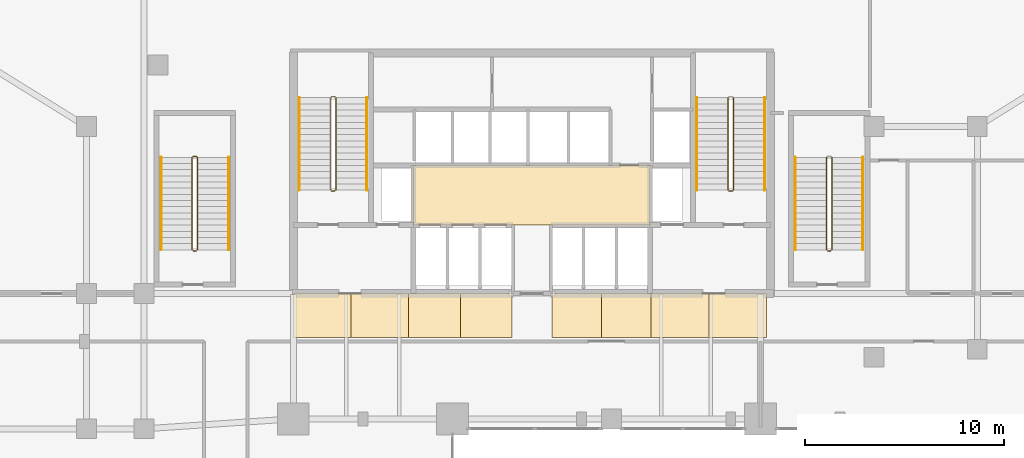
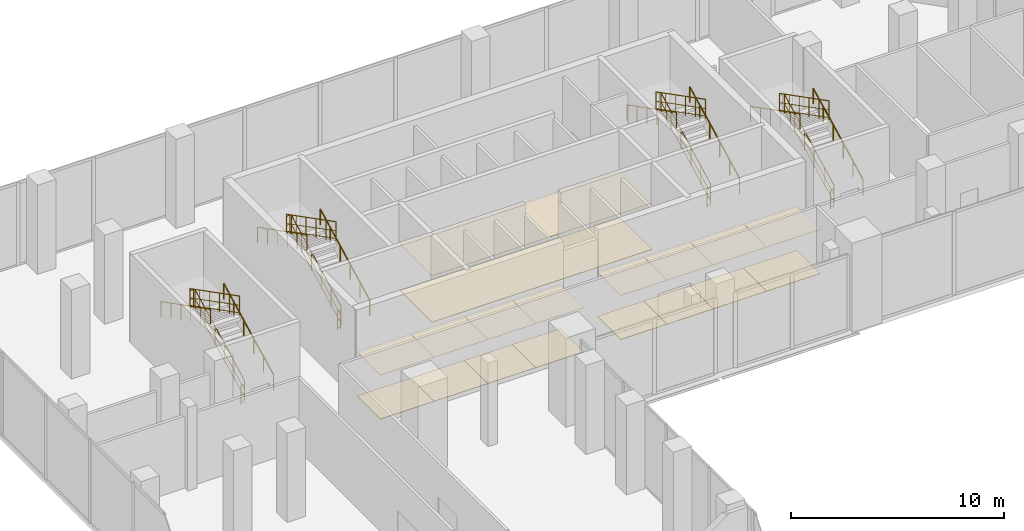
# One storey, part 23 of 24: 22 railings, 18 coverings.
"""IFC4 building model written with IfcOpenShell, lengths in metres."""

from ifc_helpers import new_model, si_unit, direction, frame, origin, origin_2d, place, context, subcontext, project, spatial, polyline, circle, outline, extrude, material, layer, layer_set, type_object, element, save


model = new_model("IFC4")

# Units and contexts
model_context = context("Model", 3, precision=1e-05, world=origin(), true_north=direction((0.0, 1.0)))
body_context = subcontext(model_context, "Body", "Model", "MODEL_VIEW")
ifc_project = project(units=[si_unit("LENGTHUNIT", "METRE"), si_unit("AREAUNIT", "SQUARE_METRE"), si_unit("VOLUMEUNIT", "CUBIC_METRE"), si_unit("PLANEANGLEUNIT", "RADIAN"), si_unit("MASSUNIT", "GRAM", prefix="KILO")], contexts=[model_context])

# Site, building, storey
site_placement = place(None, origin())
site = spatial("IfcSite", under=ifc_project, at=site_placement, CompositionType="ELEMENT")
building_placement = place(site_placement, origin())
building = spatial("IfcBuilding", under=site, at=building_placement, Name="Catumbela Crestline Tower", CompositionType="ELEMENT")
storey_placement = place(building_placement, frame((0.0, 0.0, 6.0)))
storey = spatial("IfcBuildingStorey", under=building, at=storey_placement, Name="L01", CompositionType="ELEMENT", Elevation=6.0)

# Coverings
ifc_material_1 = material(Name="Mineral-fibre acoustic ceiling")
ifc_layer_1 = layer(ifc_material_1, 0.03, Name="Mineral-fibre acoustic ceiling")
ifc_layer_set_1 = layer_set([ifc_layer_1], Name="Mineral-fibre acoustic ceiling")
covering_type_1 = type_object("IfcCoveringType", Name="CC-AC", PredefinedType="CEILING", material=ifc_layer_set_1)
covering_1_placement = place(storey_placement, frame((0.0, 0.0, 2.65)))
element("IfcCovering", 1, at=covering_1_placement, inside=storey, type_object=covering_type_1, Name="L01 Lift Lobby Acoustic Ceiling", PredefinedType="CEILING", context=body_context, shape_type="SweptSolid", body=[
    extrude(outline(polyline([(22.05, 34.25), (33.95, 34.25), (33.95, 37.25), (22.05, 37.25), (22.05, 34.25)])), origin(), (0.0, 0.0, 1.0), 0.03),
])
covering_2_placement = place(storey_placement, frame((0.0, 0.0, 2.52)))
element("IfcCovering", 2, at=covering_2_placement, inside=storey, type_object=covering_type_1, Name="L01 Corridor Acoustic Ceiling Bay 1", PredefinedType="CEILING", context=body_context, shape_type="SweptSolid", body=[
    extrude(outline(polyline([(16.0, 28.6), (18.9, 28.6), (18.9, 30.8), (16.0, 30.8), (16.0, 28.6)])), origin(), (0.0, 0.0, 1.0), 0.03),
])
covering_3_placement = place(storey_placement, frame((0.0, 0.0, 2.52)))
element("IfcCovering", 3, at=covering_3_placement, inside=storey, type_object=covering_type_1, Name="L01 Corridor Acoustic Ceiling Bay 2", PredefinedType="CEILING", context=body_context, shape_type="SweptSolid", body=[
    extrude(outline(polyline([(18.9, 28.6), (21.8, 28.6), (21.8, 30.8), (18.9, 30.8), (18.9, 28.6)])), origin(), (0.0, 0.0, 1.0), 0.03),
])
covering_4_placement = place(storey_placement, frame((0.0, 0.0, 2.52)))
element("IfcCovering", 4, at=covering_4_placement, inside=storey, type_object=covering_type_1, Name="L01 Corridor Acoustic Ceiling Bay 3", PredefinedType="CEILING", context=body_context, shape_type="SweptSolid", body=[
    extrude(outline(polyline([(21.8, 28.6), (24.4, 28.6), (24.4, 30.8), (21.8, 30.8), (21.8, 28.6)])), origin(), (0.0, 0.0, 1.0), 0.03),
])
covering_5_placement = place(storey_placement, frame((0.0, 0.0, 2.52)))
element("IfcCovering", 5, at=covering_5_placement, inside=storey, type_object=covering_type_1, Name="L01 Corridor Acoustic Ceiling Bay 4", PredefinedType="CEILING", context=body_context, shape_type="SweptSolid", body=[
    extrude(outline(polyline([(24.4, 28.6), (27.0, 28.6), (27.0, 30.8), (24.4, 30.8), (24.4, 28.6)])), origin(), (0.0, 0.0, 1.0), 0.03),
])
covering_6_placement = place(storey_placement, frame((0.0, 0.0, 2.52)))
element("IfcCovering", 6, at=covering_6_placement, inside=storey, type_object=covering_type_1, Name="L01 Corridor Acoustic Ceiling Bay 5", PredefinedType="CEILING", context=body_context, shape_type="SweptSolid", body=[
    extrude(outline(polyline([(29.0, 28.6), (31.5, 28.6), (31.5, 30.8), (29.0, 30.8), (29.0, 28.6)])), origin(), (0.0, 0.0, 1.0), 0.03),
])
covering_7_placement = place(storey_placement, frame((0.0, 0.0, 2.52)))
element("IfcCovering", 7, at=covering_7_placement, inside=storey, type_object=covering_type_1, Name="L01 Corridor Acoustic Ceiling Bay 6", PredefinedType="CEILING", context=body_context, shape_type="SweptSolid", body=[
    extrude(outline(polyline([(31.5, 28.6), (34.0, 28.6), (34.0, 30.8), (31.5, 30.8), (31.5, 28.6)])), origin(), (0.0, 0.0, 1.0), 0.03),
])
covering_8_placement = place(storey_placement, frame((0.0, 0.0, 2.52)))
element("IfcCovering", 8, at=covering_8_placement, inside=storey, type_object=covering_type_1, Name="L01 Corridor Acoustic Ceiling Bay 7", PredefinedType="CEILING", context=body_context, shape_type="SweptSolid", body=[
    extrude(outline(polyline([(34.0, 28.6), (36.9, 28.6), (36.9, 30.8), (34.0, 30.8), (34.0, 28.6)])), origin(), (0.0, 0.0, 1.0), 0.03),
])
covering_9_placement = place(storey_placement, frame((0.0, 0.0, 2.52)))
element("IfcCovering", 9, at=covering_9_placement, inside=storey, type_object=covering_type_1, Name="L01 Corridor Acoustic Ceiling Bay 8", PredefinedType="CEILING", context=body_context, shape_type="SweptSolid", body=[
    extrude(outline(polyline([(36.9, 28.6), (39.8, 28.6), (39.8, 30.8), (36.9, 30.8), (36.9, 28.6)])), origin(), (0.0, 0.0, 1.0), 0.03),
])
ifc_material_2 = material(Name="Angolan grey-ochre granite", Category="masonry")
ifc_layer_2 = layer(ifc_material_2, 0.025, Name="Angolan grey-ochre granite")
ifc_layer_set_2 = layer_set([ifc_layer_2], Name="Angolan grey-ochre granite")
covering_type_2 = type_object("IfcCoveringType", Name="CF-GR", PredefinedType="FLOORING", material=ifc_layer_set_2)
covering_10_placement = place(storey_placement, origin())
element("IfcCovering", 10, at=covering_10_placement, inside=storey, type_object=covering_type_2, Name="L01 Corridor Granite Flooring Bay 1", PredefinedType="FLOORING", context=body_context, shape_type="SweptSolid", body=[
    extrude(outline(polyline([(16.0, 28.6), (18.9, 28.6), (18.9, 30.8), (16.0, 30.8), (16.0, 28.6)])), origin(), (0.0, 0.0, 1.0), 0.025),
])
covering_11_placement = place(storey_placement, origin())
element("IfcCovering", 11, at=covering_11_placement, inside=storey, type_object=covering_type_2, Name="L01 Corridor Granite Flooring Bay 2", PredefinedType="FLOORING", context=body_context, shape_type="SweptSolid", body=[
    extrude(outline(polyline([(18.9, 28.6), (21.8, 28.6), (21.8, 30.8), (18.9, 30.8), (18.9, 28.6)])), origin(), (0.0, 0.0, 1.0), 0.025),
])
covering_12_placement = place(storey_placement, origin())
element("IfcCovering", 12, at=covering_12_placement, inside=storey, type_object=covering_type_2, Name="L01 Corridor Granite Flooring Bay 3", PredefinedType="FLOORING", context=body_context, shape_type="SweptSolid", body=[
    extrude(outline(polyline([(21.8, 28.6), (24.4, 28.6), (24.4, 30.8), (21.8, 30.8), (21.8, 28.6)])), origin(), (0.0, 0.0, 1.0), 0.025),
])
covering_13_placement = place(storey_placement, origin())
element("IfcCovering", 13, at=covering_13_placement, inside=storey, type_object=covering_type_2, Name="L01 Corridor Granite Flooring Bay 4", PredefinedType="FLOORING", context=body_context, shape_type="SweptSolid", body=[
    extrude(outline(polyline([(24.4, 28.6), (27.0, 28.6), (27.0, 30.8), (24.4, 30.8), (24.4, 28.6)])), origin(), (0.0, 0.0, 1.0), 0.025),
])
covering_14_placement = place(storey_placement, origin())
element("IfcCovering", 14, at=covering_14_placement, inside=storey, type_object=covering_type_2, Name="L01 Corridor Granite Flooring Bay 5", PredefinedType="FLOORING", context=body_context, shape_type="SweptSolid", body=[
    extrude(outline(polyline([(29.0, 28.6), (31.5, 28.6), (31.5, 30.8), (29.0, 30.8), (29.0, 28.6)])), origin(), (0.0, 0.0, 1.0), 0.025),
])
covering_15_placement = place(storey_placement, origin())
element("IfcCovering", 15, at=covering_15_placement, inside=storey, type_object=covering_type_2, Name="L01 Corridor Granite Flooring Bay 6", PredefinedType="FLOORING", context=body_context, shape_type="SweptSolid", body=[
    extrude(outline(polyline([(31.5, 28.6), (34.0, 28.6), (34.0, 30.8), (31.5, 30.8), (31.5, 28.6)])), origin(), (0.0, 0.0, 1.0), 0.025),
])
covering_16_placement = place(storey_placement, origin())
element("IfcCovering", 16, at=covering_16_placement, inside=storey, type_object=covering_type_2, Name="L01 Corridor Granite Flooring Bay 7", PredefinedType="FLOORING", context=body_context, shape_type="SweptSolid", body=[
    extrude(outline(polyline([(34.0, 28.6), (36.9, 28.6), (36.9, 30.8), (34.0, 30.8), (34.0, 28.6)])), origin(), (0.0, 0.0, 1.0), 0.025),
])
covering_17_placement = place(storey_placement, origin())
element("IfcCovering", 17, at=covering_17_placement, inside=storey, type_object=covering_type_2, Name="L01 Corridor Granite Flooring Bay 8", PredefinedType="FLOORING", context=body_context, shape_type="SweptSolid", body=[
    extrude(outline(polyline([(36.9, 28.6), (39.8, 28.6), (39.8, 30.8), (36.9, 30.8), (36.9, 28.6)])), origin(), (0.0, 0.0, 1.0), 0.025),
])
covering_18_placement = place(storey_placement, origin())
element("IfcCovering", 18, at=covering_18_placement, inside=storey, type_object=covering_type_2, Name="L01 Lift Lobby Granite Flooring", PredefinedType="FLOORING", context=body_context, shape_type="SweptSolid", body=[
    extrude(outline(polyline([(22.05, 34.25), (33.95, 34.25), (33.95, 37.25), (22.05, 37.25), (22.05, 34.25)])), origin(), (0.0, 0.0, 1.0), 0.025),
])

# Railings
ifc_material_3 = material(Name="Stainless steel EN 1.4401", Category="steel")
railing_type_1 = type_object("IfcRailingType", Name="RG-1100", PredefinedType="GUARDRAIL", material=ifc_material_3)
railing_1_placement = place(storey_placement, frame((18.14, 36.0, 0.1594)))
element("IfcRailing", 19, at=railing_1_placement, inside=storey, type_object=railing_type_1, Name="L01 ST-01 stair guard 1", PredefinedType="GUARDRAIL", context=body_context, shape_type="SweptSolid", body=[
    extrude(circle(Radius=0.024, at=origin_2d()), frame((0.0, 0.0, 1.076), z_axis=(0.0, 0.889352246013, 0.457222683724), x_axis=(-1.0, 0.0, 0.0)), (0.0, 0.0, 1.0), 5.2285),
    extrude(circle(Radius=0.0156, at=origin_2d()), frame((0.0, 0.0, 0.55), z_axis=(0.0, 0.889352246013, 0.457222683724), x_axis=(-1.0, 0.0, 0.0)), (0.0, 0.0, 1.0), 5.2285),
    extrude(circle(Radius=0.0156, at=origin_2d()), frame((0.0, 0.0, 0.12), z_axis=(0.0, 0.889352246013, 0.457222683724), x_axis=(-1.0, 0.0, 0.0)), (0.0, 0.0, 1.0), 5.2285),
    extrude(circle(Radius=0.021, at=origin_2d()), origin(), (0.0, 0.0, 1.0), 1.052),
    extrude(circle(Radius=0.021, at=origin_2d()), frame((0.0, 0.93, 0.4781)), (0.0, 0.0, 1.0), 1.052),
    extrude(circle(Radius=0.021, at=origin_2d()), frame((0.0, 1.86, 0.9562)), (0.0, 0.0, 1.0), 1.052),
    extrude(circle(Radius=0.021, at=origin_2d()), frame((0.0, 2.79, 1.4344)), (0.0, 0.0, 1.0), 1.052),
    extrude(circle(Radius=0.021, at=origin_2d()), frame((0.0, 3.72, 1.9125)), (0.0, 0.0, 1.0), 1.052),
    extrude(circle(Radius=0.021, at=origin_2d()), frame((0.0, 4.65, 2.3906)), (0.0, 0.0, 1.0), 1.052),
])
railing_2_placement = place(storey_placement, frame((18.09, 40.7, 2.55)))
element("IfcRailing", 20, at=railing_2_placement, inside=storey, type_object=railing_type_1, Name="L01 ST-01 stair guard 2", PredefinedType="GUARDRAIL", context=body_context, shape_type="SweptSolid", body=[
    extrude(circle(Radius=0.024, at=origin_2d()), frame((0.0, 0.0, 1.076), z_axis=(-1.0, 0.0, 0.0), x_axis=(0.0, -1.0, 0.0)), (0.0, 0.0, 1.0), 0.18),
    extrude(circle(Radius=0.0156, at=origin_2d()), frame((0.0, 0.0, 0.55), z_axis=(-1.0, 0.0, 0.0), x_axis=(0.0, -1.0, 0.0)), (0.0, 0.0, 1.0), 0.18),
    extrude(circle(Radius=0.0156, at=origin_2d()), frame((0.0, 0.0, 0.12), z_axis=(-1.0, 0.0, 0.0), x_axis=(0.0, -1.0, 0.0)), (0.0, 0.0, 1.0), 0.18),
    extrude(circle(Radius=0.021, at=origin_2d()), origin(), (0.0, 0.0, 1.0), 1.052),
    extrude(circle(Radius=0.021, at=origin_2d()), frame((-0.18, 0.0, 0.0)), (0.0, 0.0, 1.0), 1.052),
])
railing_3_placement = place(storey_placement, frame((17.86, 40.65, 2.7094)))
element("IfcRailing", 21, at=railing_3_placement, inside=storey, type_object=railing_type_1, Name="L01 ST-01 stair guard 3", PredefinedType="GUARDRAIL", context=body_context, shape_type="SweptSolid", body=[
    extrude(circle(Radius=0.024, at=origin_2d()), frame((0.0, 0.0, 1.076), z_axis=(0.0, -0.889352246013, 0.457222683724), x_axis=(1.0, 0.0, 0.0)), (0.0, 0.0, 1.0), 5.2285),
    extrude(circle(Radius=0.0156, at=origin_2d()), frame((0.0, 0.0, 0.55), z_axis=(0.0, -0.889352246013, 0.457222683724), x_axis=(1.0, 0.0, 0.0)), (0.0, 0.0, 1.0), 5.2285),
    extrude(circle(Radius=0.0156, at=origin_2d()), frame((0.0, 0.0, 0.12), z_axis=(0.0, -0.889352246013, 0.457222683724), x_axis=(1.0, 0.0, 0.0)), (0.0, 0.0, 1.0), 5.2285),
    extrude(circle(Radius=0.021, at=origin_2d()), origin(), (0.0, 0.0, 1.0), 1.052),
    extrude(circle(Radius=0.021, at=origin_2d()), frame((0.0, -0.93, 0.4781)), (0.0, 0.0, 1.0), 1.052),
    extrude(circle(Radius=0.021, at=origin_2d()), frame((0.0, -1.86, 0.9562)), (0.0, 0.0, 1.0), 1.052),
    extrude(circle(Radius=0.021, at=origin_2d()), frame((0.0, -2.79, 1.4344)), (0.0, 0.0, 1.0), 1.052),
    extrude(circle(Radius=0.021, at=origin_2d()), frame((0.0, -3.72, 1.9125)), (0.0, 0.0, 1.0), 1.052),
    extrude(circle(Radius=0.021, at=origin_2d()), frame((0.0, -4.65, 2.3906)), (0.0, 0.0, 1.0), 1.052),
])
railing_4_placement = place(storey_placement, frame((18.09, 35.95, 0.0)))
element("IfcRailing", 22, at=railing_4_placement, inside=storey, type_object=railing_type_1, Name="L01 ST-01 stair guard 4", PredefinedType="GUARDRAIL", context=body_context, shape_type="SweptSolid", body=[
    extrude(circle(Radius=0.024, at=origin_2d()), frame((0.0, 0.0, 1.076), z_axis=(-1.0, 0.0, 0.0), x_axis=(0.0, -1.0, 0.0)), (0.0, 0.0, 1.0), 0.18),
    extrude(circle(Radius=0.0156, at=origin_2d()), frame((0.0, 0.0, 0.55), z_axis=(-1.0, 0.0, 0.0), x_axis=(0.0, -1.0, 0.0)), (0.0, 0.0, 1.0), 0.18),
    extrude(circle(Radius=0.0156, at=origin_2d()), frame((0.0, 0.0, 0.12), z_axis=(-1.0, 0.0, 0.0), x_axis=(0.0, -1.0, 0.0)), (0.0, 0.0, 1.0), 0.18),
    extrude(circle(Radius=0.021, at=origin_2d()), origin(), (0.0, 0.0, 1.0), 1.052),
    extrude(circle(Radius=0.021, at=origin_2d()), frame((-0.18, 0.0, 0.0)), (0.0, 0.0, 1.0), 1.052),
])
railing_5_placement = place(storey_placement, frame((38.14, 36.0, 0.1594)))
element("IfcRailing", 23, at=railing_5_placement, inside=storey, type_object=railing_type_1, Name="L01 ST-02 stair guard 1", PredefinedType="GUARDRAIL", context=body_context, shape_type="SweptSolid", body=[
    extrude(circle(Radius=0.024, at=origin_2d()), frame((0.0, 0.0, 1.076), z_axis=(0.0, 0.889352246013, 0.457222683724), x_axis=(-1.0, 0.0, 0.0)), (0.0, 0.0, 1.0), 5.2285),
    extrude(circle(Radius=0.0156, at=origin_2d()), frame((0.0, 0.0, 0.55), z_axis=(0.0, 0.889352246013, 0.457222683724), x_axis=(-1.0, 0.0, 0.0)), (0.0, 0.0, 1.0), 5.2285),
    extrude(circle(Radius=0.0156, at=origin_2d()), frame((0.0, 0.0, 0.12), z_axis=(0.0, 0.889352246013, 0.457222683724), x_axis=(-1.0, 0.0, 0.0)), (0.0, 0.0, 1.0), 5.2285),
    extrude(circle(Radius=0.021, at=origin_2d()), origin(), (0.0, 0.0, 1.0), 1.052),
    extrude(circle(Radius=0.021, at=origin_2d()), frame((0.0, 0.93, 0.4781)), (0.0, 0.0, 1.0), 1.052),
    extrude(circle(Radius=0.021, at=origin_2d()), frame((0.0, 1.86, 0.9562)), (0.0, 0.0, 1.0), 1.052),
    extrude(circle(Radius=0.021, at=origin_2d()), frame((0.0, 2.79, 1.4344)), (0.0, 0.0, 1.0), 1.052),
    extrude(circle(Radius=0.021, at=origin_2d()), frame((0.0, 3.72, 1.9125)), (0.0, 0.0, 1.0), 1.052),
    extrude(circle(Radius=0.021, at=origin_2d()), frame((0.0, 4.65, 2.3906)), (0.0, 0.0, 1.0), 1.052),
])
railing_6_placement = place(storey_placement, frame((37.86, 40.65, 2.7094)))
element("IfcRailing", 24, at=railing_6_placement, inside=storey, type_object=railing_type_1, Name="L01 ST-02 stair guard 3", PredefinedType="GUARDRAIL", context=body_context, shape_type="SweptSolid", body=[
    extrude(circle(Radius=0.024, at=origin_2d()), frame((0.0, 0.0, 1.076), z_axis=(0.0, -0.889352246013, 0.457222683724), x_axis=(1.0, 0.0, 0.0)), (0.0, 0.0, 1.0), 5.2285),
    extrude(circle(Radius=0.0156, at=origin_2d()), frame((0.0, 0.0, 0.55), z_axis=(0.0, -0.889352246013, 0.457222683724), x_axis=(1.0, 0.0, 0.0)), (0.0, 0.0, 1.0), 5.2285),
    extrude(circle(Radius=0.0156, at=origin_2d()), frame((0.0, 0.0, 0.12), z_axis=(0.0, -0.889352246013, 0.457222683724), x_axis=(1.0, 0.0, 0.0)), (0.0, 0.0, 1.0), 5.2285),
    extrude(circle(Radius=0.021, at=origin_2d()), origin(), (0.0, 0.0, 1.0), 1.052),
    extrude(circle(Radius=0.021, at=origin_2d()), frame((0.0, -0.93, 0.4781)), (0.0, 0.0, 1.0), 1.052),
    extrude(circle(Radius=0.021, at=origin_2d()), frame((0.0, -1.86, 0.9562)), (0.0, 0.0, 1.0), 1.052),
    extrude(circle(Radius=0.021, at=origin_2d()), frame((0.0, -2.79, 1.4344)), (0.0, 0.0, 1.0), 1.052),
    extrude(circle(Radius=0.021, at=origin_2d()), frame((0.0, -3.72, 1.9125)), (0.0, 0.0, 1.0), 1.052),
    extrude(circle(Radius=0.021, at=origin_2d()), frame((0.0, -4.65, 2.3906)), (0.0, 0.0, 1.0), 1.052),
])
railing_7_placement = place(storey_placement, frame((38.09, 35.95, 0.0)))
element("IfcRailing", 25, at=railing_7_placement, inside=storey, type_object=railing_type_1, Name="L01 ST-02 stair guard 4", PredefinedType="GUARDRAIL", context=body_context, shape_type="SweptSolid", body=[
    extrude(circle(Radius=0.024, at=origin_2d()), frame((0.0, 0.0, 1.076), z_axis=(-1.0, 0.0, 0.0), x_axis=(0.0, -1.0, 0.0)), (0.0, 0.0, 1.0), 0.18),
    extrude(circle(Radius=0.0156, at=origin_2d()), frame((0.0, 0.0, 0.55), z_axis=(-1.0, 0.0, 0.0), x_axis=(0.0, -1.0, 0.0)), (0.0, 0.0, 1.0), 0.18),
    extrude(circle(Radius=0.0156, at=origin_2d()), frame((0.0, 0.0, 0.12), z_axis=(-1.0, 0.0, 0.0), x_axis=(0.0, -1.0, 0.0)), (0.0, 0.0, 1.0), 0.18),
    extrude(circle(Radius=0.021, at=origin_2d()), origin(), (0.0, 0.0, 1.0), 1.052),
    extrude(circle(Radius=0.021, at=origin_2d()), frame((-0.18, 0.0, 0.0)), (0.0, 0.0, 1.0), 1.052),
])
railing_8_placement = place(storey_placement, frame((11.19, 33.0, 0.1594)))
element("IfcRailing", 26, at=railing_8_placement, inside=storey, type_object=railing_type_1, Name="L01 ST-03 stair guard 1", PredefinedType="GUARDRAIL", context=body_context, shape_type="SweptSolid", body=[
    extrude(circle(Radius=0.024, at=origin_2d()), frame((0.0, 0.0, 1.076), z_axis=(0.0, 0.889352246013, 0.457222683724), x_axis=(-1.0, 0.0, 0.0)), (0.0, 0.0, 1.0), 5.2285),
    extrude(circle(Radius=0.0156, at=origin_2d()), frame((0.0, 0.0, 0.55), z_axis=(0.0, 0.889352246013, 0.457222683724), x_axis=(-1.0, 0.0, 0.0)), (0.0, 0.0, 1.0), 5.2285),
    extrude(circle(Radius=0.0156, at=origin_2d()), frame((0.0, 0.0, 0.12), z_axis=(0.0, 0.889352246013, 0.457222683724), x_axis=(-1.0, 0.0, 0.0)), (0.0, 0.0, 1.0), 5.2285),
    extrude(circle(Radius=0.021, at=origin_2d()), origin(), (0.0, 0.0, 1.0), 1.052),
    extrude(circle(Radius=0.021, at=origin_2d()), frame((0.0, 0.93, 0.4781)), (0.0, 0.0, 1.0), 1.052),
    extrude(circle(Radius=0.021, at=origin_2d()), frame((0.0, 1.86, 0.9562)), (0.0, 0.0, 1.0), 1.052),
    extrude(circle(Radius=0.021, at=origin_2d()), frame((0.0, 2.79, 1.4344)), (0.0, 0.0, 1.0), 1.052),
    extrude(circle(Radius=0.021, at=origin_2d()), frame((0.0, 3.72, 1.9125)), (0.0, 0.0, 1.0), 1.052),
    extrude(circle(Radius=0.021, at=origin_2d()), frame((0.0, 4.65, 2.3906)), (0.0, 0.0, 1.0), 1.052),
])
railing_9_placement = place(storey_placement, frame((11.14, 37.7, 2.55)))
element("IfcRailing", 27, at=railing_9_placement, inside=storey, type_object=railing_type_1, Name="L01 ST-03 stair guard 2", PredefinedType="GUARDRAIL", context=body_context, shape_type="SweptSolid", body=[
    extrude(circle(Radius=0.024, at=origin_2d()), frame((0.0, 0.0, 1.076), z_axis=(-1.0, 0.0, 0.0), x_axis=(0.0, -1.0, 0.0)), (0.0, 0.0, 1.0), 0.18),
    extrude(circle(Radius=0.0156, at=origin_2d()), frame((0.0, 0.0, 0.55), z_axis=(-1.0, 0.0, 0.0), x_axis=(0.0, -1.0, 0.0)), (0.0, 0.0, 1.0), 0.18),
    extrude(circle(Radius=0.0156, at=origin_2d()), frame((0.0, 0.0, 0.12), z_axis=(-1.0, 0.0, 0.0), x_axis=(0.0, -1.0, 0.0)), (0.0, 0.0, 1.0), 0.18),
    extrude(circle(Radius=0.021, at=origin_2d()), origin(), (0.0, 0.0, 1.0), 1.052),
    extrude(circle(Radius=0.021, at=origin_2d()), frame((-0.18, 0.0, 0.0)), (0.0, 0.0, 1.0), 1.052),
])
railing_10_placement = place(storey_placement, frame((10.91, 37.65, 2.7094)))
element("IfcRailing", 28, at=railing_10_placement, inside=storey, type_object=railing_type_1, Name="L01 ST-03 stair guard 3", PredefinedType="GUARDRAIL", context=body_context, shape_type="SweptSolid", body=[
    extrude(circle(Radius=0.024, at=origin_2d()), frame((0.0, 0.0, 1.076), z_axis=(0.0, -0.889352246013, 0.457222683724), x_axis=(1.0, 0.0, 0.0)), (0.0, 0.0, 1.0), 5.2285),
    extrude(circle(Radius=0.0156, at=origin_2d()), frame((0.0, 0.0, 0.55), z_axis=(0.0, -0.889352246013, 0.457222683724), x_axis=(1.0, 0.0, 0.0)), (0.0, 0.0, 1.0), 5.2285),
    extrude(circle(Radius=0.0156, at=origin_2d()), frame((0.0, 0.0, 0.12), z_axis=(0.0, -0.889352246013, 0.457222683724), x_axis=(1.0, 0.0, 0.0)), (0.0, 0.0, 1.0), 5.2285),
    extrude(circle(Radius=0.021, at=origin_2d()), origin(), (0.0, 0.0, 1.0), 1.052),
    extrude(circle(Radius=0.021, at=origin_2d()), frame((0.0, -0.93, 0.4781)), (0.0, 0.0, 1.0), 1.052),
    extrude(circle(Radius=0.021, at=origin_2d()), frame((0.0, -1.86, 0.9562)), (0.0, 0.0, 1.0), 1.052),
    extrude(circle(Radius=0.021, at=origin_2d()), frame((0.0, -2.79, 1.4344)), (0.0, 0.0, 1.0), 1.052),
    extrude(circle(Radius=0.021, at=origin_2d()), frame((0.0, -3.72, 1.9125)), (0.0, 0.0, 1.0), 1.052),
    extrude(circle(Radius=0.021, at=origin_2d()), frame((0.0, -4.65, 2.3906)), (0.0, 0.0, 1.0), 1.052),
])
railing_11_placement = place(storey_placement, frame((11.14, 32.95, 0.0)))
element("IfcRailing", 29, at=railing_11_placement, inside=storey, type_object=railing_type_1, Name="L01 ST-03 stair guard 4", PredefinedType="GUARDRAIL", context=body_context, shape_type="SweptSolid", body=[
    extrude(circle(Radius=0.024, at=origin_2d()), frame((0.0, 0.0, 1.076), z_axis=(-1.0, 0.0, 0.0), x_axis=(0.0, -1.0, 0.0)), (0.0, 0.0, 1.0), 0.18),
    extrude(circle(Radius=0.0156, at=origin_2d()), frame((0.0, 0.0, 0.55), z_axis=(-1.0, 0.0, 0.0), x_axis=(0.0, -1.0, 0.0)), (0.0, 0.0, 1.0), 0.18),
    extrude(circle(Radius=0.0156, at=origin_2d()), frame((0.0, 0.0, 0.12), z_axis=(-1.0, 0.0, 0.0), x_axis=(0.0, -1.0, 0.0)), (0.0, 0.0, 1.0), 0.18),
    extrude(circle(Radius=0.021, at=origin_2d()), origin(), (0.0, 0.0, 1.0), 1.052),
    extrude(circle(Radius=0.021, at=origin_2d()), frame((-0.18, 0.0, 0.0)), (0.0, 0.0, 1.0), 1.052),
])
railing_12_placement = place(storey_placement, frame((43.09, 33.0, 0.1594)))
element("IfcRailing", 30, at=railing_12_placement, inside=storey, type_object=railing_type_1, Name="L01 ST-04 stair guard 1", PredefinedType="GUARDRAIL", context=body_context, shape_type="SweptSolid", body=[
    extrude(circle(Radius=0.024, at=origin_2d()), frame((0.0, 0.0, 1.076), z_axis=(0.0, 0.889352246013, 0.457222683724), x_axis=(-1.0, 0.0, 0.0)), (0.0, 0.0, 1.0), 5.2285),
    extrude(circle(Radius=0.0156, at=origin_2d()), frame((0.0, 0.0, 0.55), z_axis=(0.0, 0.889352246013, 0.457222683724), x_axis=(-1.0, 0.0, 0.0)), (0.0, 0.0, 1.0), 5.2285),
    extrude(circle(Radius=0.0156, at=origin_2d()), frame((0.0, 0.0, 0.12), z_axis=(0.0, 0.889352246013, 0.457222683724), x_axis=(-1.0, 0.0, 0.0)), (0.0, 0.0, 1.0), 5.2285),
    extrude(circle(Radius=0.021, at=origin_2d()), origin(), (0.0, 0.0, 1.0), 1.052),
    extrude(circle(Radius=0.021, at=origin_2d()), frame((0.0, 0.93, 0.4781)), (0.0, 0.0, 1.0), 1.052),
    extrude(circle(Radius=0.021, at=origin_2d()), frame((0.0, 1.86, 0.9562)), (0.0, 0.0, 1.0), 1.052),
    extrude(circle(Radius=0.021, at=origin_2d()), frame((0.0, 2.79, 1.4344)), (0.0, 0.0, 1.0), 1.052),
    extrude(circle(Radius=0.021, at=origin_2d()), frame((0.0, 3.72, 1.9125)), (0.0, 0.0, 1.0), 1.052),
    extrude(circle(Radius=0.021, at=origin_2d()), frame((0.0, 4.65, 2.3906)), (0.0, 0.0, 1.0), 1.052),
])
railing_13_placement = place(storey_placement, frame((42.81, 37.65, 2.7094)))
element("IfcRailing", 31, at=railing_13_placement, inside=storey, type_object=railing_type_1, Name="L01 ST-04 stair guard 3", PredefinedType="GUARDRAIL", context=body_context, shape_type="SweptSolid", body=[
    extrude(circle(Radius=0.024, at=origin_2d()), frame((0.0, 0.0, 1.076), z_axis=(0.0, -0.889352246013, 0.457222683724), x_axis=(1.0, 0.0, 0.0)), (0.0, 0.0, 1.0), 5.2285),
    extrude(circle(Radius=0.0156, at=origin_2d()), frame((0.0, 0.0, 0.55), z_axis=(0.0, -0.889352246013, 0.457222683724), x_axis=(1.0, 0.0, 0.0)), (0.0, 0.0, 1.0), 5.2285),
    extrude(circle(Radius=0.0156, at=origin_2d()), frame((0.0, 0.0, 0.12), z_axis=(0.0, -0.889352246013, 0.457222683724), x_axis=(1.0, 0.0, 0.0)), (0.0, 0.0, 1.0), 5.2285),
    extrude(circle(Radius=0.021, at=origin_2d()), origin(), (0.0, 0.0, 1.0), 1.052),
    extrude(circle(Radius=0.021, at=origin_2d()), frame((0.0, -0.93, 0.4781)), (0.0, 0.0, 1.0), 1.052),
    extrude(circle(Radius=0.021, at=origin_2d()), frame((0.0, -1.86, 0.9562)), (0.0, 0.0, 1.0), 1.052),
    extrude(circle(Radius=0.021, at=origin_2d()), frame((0.0, -2.79, 1.4344)), (0.0, 0.0, 1.0), 1.052),
    extrude(circle(Radius=0.021, at=origin_2d()), frame((0.0, -3.72, 1.9125)), (0.0, 0.0, 1.0), 1.052),
    extrude(circle(Radius=0.021, at=origin_2d()), frame((0.0, -4.65, 2.3906)), (0.0, 0.0, 1.0), 1.052),
])
railing_14_placement = place(storey_placement, frame((43.04, 32.95, 0.0)))
element("IfcRailing", 32, at=railing_14_placement, inside=storey, type_object=railing_type_1, Name="L01 ST-04 stair guard 4", PredefinedType="GUARDRAIL", context=body_context, shape_type="SweptSolid", body=[
    extrude(circle(Radius=0.024, at=origin_2d()), frame((0.0, 0.0, 1.076), z_axis=(-1.0, 0.0, 0.0), x_axis=(0.0, -1.0, 0.0)), (0.0, 0.0, 1.0), 0.18),
    extrude(circle(Radius=0.0156, at=origin_2d()), frame((0.0, 0.0, 0.55), z_axis=(-1.0, 0.0, 0.0), x_axis=(0.0, -1.0, 0.0)), (0.0, 0.0, 1.0), 0.18),
    extrude(circle(Radius=0.0156, at=origin_2d()), frame((0.0, 0.0, 0.12), z_axis=(-1.0, 0.0, 0.0), x_axis=(0.0, -1.0, 0.0)), (0.0, 0.0, 1.0), 0.18),
    extrude(circle(Radius=0.021, at=origin_2d()), origin(), (0.0, 0.0, 1.0), 1.052),
    extrude(circle(Radius=0.021, at=origin_2d()), frame((-0.18, 0.0, 0.0)), (0.0, 0.0, 1.0), 1.052),
])
railing_type_2 = type_object("IfcRailingType", Name="RH-0900", PredefinedType="HANDRAIL", material=ifc_material_3)
railing_15_placement = place(storey_placement, frame((19.7, 36.0, 0.1594)))
element("IfcRailing", 33, at=railing_15_placement, inside=storey, type_object=railing_type_2, Name="L01 ST-01 stair handrail 1", PredefinedType="HANDRAIL", context=body_context, shape_type="SweptSolid", body=[
    extrude(circle(Radius=0.024, at=origin_2d()), frame((0.0, 0.0, 0.876), z_axis=(0.0, 0.889352246013, 0.457222683724), x_axis=(-1.0, 0.0, 0.0)), (0.0, 0.0, 1.0), 5.2285),
    extrude(circle(Radius=0.021, at=origin_2d()), origin(), (0.0, 0.0, 1.0), 0.852),
    extrude(circle(Radius=0.021, at=origin_2d()), frame((0.0, 0.93, 0.4781)), (0.0, 0.0, 1.0), 0.852),
    extrude(circle(Radius=0.021, at=origin_2d()), frame((0.0, 1.86, 0.9562)), (0.0, 0.0, 1.0), 0.852),
    extrude(circle(Radius=0.021, at=origin_2d()), frame((0.0, 2.79, 1.4344)), (0.0, 0.0, 1.0), 0.852),
    extrude(circle(Radius=0.021, at=origin_2d()), frame((0.0, 3.72, 1.9125)), (0.0, 0.0, 1.0), 0.852),
    extrude(circle(Radius=0.021, at=origin_2d()), frame((0.0, 4.65, 2.3906)), (0.0, 0.0, 1.0), 0.852),
])
railing_16_placement = place(storey_placement, frame((16.3, 40.65, 2.7094)))
element("IfcRailing", 34, at=railing_16_placement, inside=storey, type_object=railing_type_2, Name="L01 ST-01 stair handrail 2", PredefinedType="HANDRAIL", context=body_context, shape_type="SweptSolid", body=[
    extrude(circle(Radius=0.024, at=origin_2d()), frame((0.0, 0.0, 0.876), z_axis=(0.0, -0.889352246013, 0.457222683724), x_axis=(1.0, 0.0, 0.0)), (0.0, 0.0, 1.0), 5.2285),
    extrude(circle(Radius=0.021, at=origin_2d()), origin(), (0.0, 0.0, 1.0), 0.852),
    extrude(circle(Radius=0.021, at=origin_2d()), frame((0.0, -0.93, 0.4781)), (0.0, 0.0, 1.0), 0.852),
    extrude(circle(Radius=0.021, at=origin_2d()), frame((0.0, -1.86, 0.9562)), (0.0, 0.0, 1.0), 0.852),
    extrude(circle(Radius=0.021, at=origin_2d()), frame((0.0, -2.79, 1.4344)), (0.0, 0.0, 1.0), 0.852),
    extrude(circle(Radius=0.021, at=origin_2d()), frame((0.0, -3.72, 1.9125)), (0.0, 0.0, 1.0), 0.852),
    extrude(circle(Radius=0.021, at=origin_2d()), frame((0.0, -4.65, 2.3906)), (0.0, 0.0, 1.0), 0.852),
])
railing_17_placement = place(storey_placement, frame((39.7, 36.0, 0.1594)))
element("IfcRailing", 35, at=railing_17_placement, inside=storey, type_object=railing_type_2, Name="L01 ST-02 stair handrail 1", PredefinedType="HANDRAIL", context=body_context, shape_type="SweptSolid", body=[
    extrude(circle(Radius=0.024, at=origin_2d()), frame((0.0, 0.0, 0.876), z_axis=(0.0, 0.889352246013, 0.457222683724), x_axis=(-1.0, 0.0, 0.0)), (0.0, 0.0, 1.0), 5.2285),
    extrude(circle(Radius=0.021, at=origin_2d()), origin(), (0.0, 0.0, 1.0), 0.852),
    extrude(circle(Radius=0.021, at=origin_2d()), frame((0.0, 0.93, 0.4781)), (0.0, 0.0, 1.0), 0.852),
    extrude(circle(Radius=0.021, at=origin_2d()), frame((0.0, 1.86, 0.9562)), (0.0, 0.0, 1.0), 0.852),
    extrude(circle(Radius=0.021, at=origin_2d()), frame((0.0, 2.79, 1.4344)), (0.0, 0.0, 1.0), 0.852),
    extrude(circle(Radius=0.021, at=origin_2d()), frame((0.0, 3.72, 1.9125)), (0.0, 0.0, 1.0), 0.852),
    extrude(circle(Radius=0.021, at=origin_2d()), frame((0.0, 4.65, 2.3906)), (0.0, 0.0, 1.0), 0.852),
])
railing_18_placement = place(storey_placement, frame((36.3, 40.65, 2.7094)))
element("IfcRailing", 36, at=railing_18_placement, inside=storey, type_object=railing_type_2, Name="L01 ST-02 stair handrail 2", PredefinedType="HANDRAIL", context=body_context, shape_type="SweptSolid", body=[
    extrude(circle(Radius=0.024, at=origin_2d()), frame((0.0, 0.0, 0.876), z_axis=(0.0, -0.889352246013, 0.457222683724), x_axis=(1.0, 0.0, 0.0)), (0.0, 0.0, 1.0), 5.2285),
    extrude(circle(Radius=0.021, at=origin_2d()), origin(), (0.0, 0.0, 1.0), 0.852),
    extrude(circle(Radius=0.021, at=origin_2d()), frame((0.0, -0.93, 0.4781)), (0.0, 0.0, 1.0), 0.852),
    extrude(circle(Radius=0.021, at=origin_2d()), frame((0.0, -1.86, 0.9562)), (0.0, 0.0, 1.0), 0.852),
    extrude(circle(Radius=0.021, at=origin_2d()), frame((0.0, -2.79, 1.4344)), (0.0, 0.0, 1.0), 0.852),
    extrude(circle(Radius=0.021, at=origin_2d()), frame((0.0, -3.72, 1.9125)), (0.0, 0.0, 1.0), 0.852),
    extrude(circle(Radius=0.021, at=origin_2d()), frame((0.0, -4.65, 2.3906)), (0.0, 0.0, 1.0), 0.852),
])
railing_19_placement = place(storey_placement, frame((12.75, 33.0, 0.1594)))
element("IfcRailing", 37, at=railing_19_placement, inside=storey, type_object=railing_type_2, Name="L01 ST-03 stair handrail 1", PredefinedType="HANDRAIL", context=body_context, shape_type="SweptSolid", body=[
    extrude(circle(Radius=0.024, at=origin_2d()), frame((0.0, 0.0, 0.876), z_axis=(0.0, 0.889352246013, 0.457222683724), x_axis=(-1.0, 0.0, 0.0)), (0.0, 0.0, 1.0), 5.2285),
    extrude(circle(Radius=0.021, at=origin_2d()), origin(), (0.0, 0.0, 1.0), 0.852),
    extrude(circle(Radius=0.021, at=origin_2d()), frame((0.0, 0.93, 0.4781)), (0.0, 0.0, 1.0), 0.852),
    extrude(circle(Radius=0.021, at=origin_2d()), frame((0.0, 1.86, 0.9562)), (0.0, 0.0, 1.0), 0.852),
    extrude(circle(Radius=0.021, at=origin_2d()), frame((0.0, 2.79, 1.4344)), (0.0, 0.0, 1.0), 0.852),
    extrude(circle(Radius=0.021, at=origin_2d()), frame((0.0, 3.72, 1.9125)), (0.0, 0.0, 1.0), 0.852),
    extrude(circle(Radius=0.021, at=origin_2d()), frame((0.0, 4.65, 2.3906)), (0.0, 0.0, 1.0), 0.852),
])
railing_20_placement = place(storey_placement, frame((9.35, 37.65, 2.7094)))
element("IfcRailing", 38, at=railing_20_placement, inside=storey, type_object=railing_type_2, Name="L01 ST-03 stair handrail 2", PredefinedType="HANDRAIL", context=body_context, shape_type="SweptSolid", body=[
    extrude(circle(Radius=0.024, at=origin_2d()), frame((0.0, 0.0, 0.876), z_axis=(0.0, -0.889352246013, 0.457222683724), x_axis=(1.0, 0.0, 0.0)), (0.0, 0.0, 1.0), 5.2285),
    extrude(circle(Radius=0.021, at=origin_2d()), origin(), (0.0, 0.0, 1.0), 0.852),
    extrude(circle(Radius=0.021, at=origin_2d()), frame((0.0, -0.93, 0.4781)), (0.0, 0.0, 1.0), 0.852),
    extrude(circle(Radius=0.021, at=origin_2d()), frame((0.0, -1.86, 0.9562)), (0.0, 0.0, 1.0), 0.852),
    extrude(circle(Radius=0.021, at=origin_2d()), frame((0.0, -2.79, 1.4344)), (0.0, 0.0, 1.0), 0.852),
    extrude(circle(Radius=0.021, at=origin_2d()), frame((0.0, -3.72, 1.9125)), (0.0, 0.0, 1.0), 0.852),
    extrude(circle(Radius=0.021, at=origin_2d()), frame((0.0, -4.65, 2.3906)), (0.0, 0.0, 1.0), 0.852),
])
railing_21_placement = place(storey_placement, frame((44.65, 33.0, 0.1594)))
element("IfcRailing", 39, at=railing_21_placement, inside=storey, type_object=railing_type_2, Name="L01 ST-04 stair handrail 1", PredefinedType="HANDRAIL", context=body_context, shape_type="SweptSolid", body=[
    extrude(circle(Radius=0.024, at=origin_2d()), frame((0.0, 0.0, 0.876), z_axis=(0.0, 0.889352246013, 0.457222683724), x_axis=(-1.0, 0.0, 0.0)), (0.0, 0.0, 1.0), 5.2285),
    extrude(circle(Radius=0.021, at=origin_2d()), origin(), (0.0, 0.0, 1.0), 0.852),
    extrude(circle(Radius=0.021, at=origin_2d()), frame((0.0, 0.93, 0.4781)), (0.0, 0.0, 1.0), 0.852),
    extrude(circle(Radius=0.021, at=origin_2d()), frame((0.0, 1.86, 0.9562)), (0.0, 0.0, 1.0), 0.852),
    extrude(circle(Radius=0.021, at=origin_2d()), frame((0.0, 2.79, 1.4344)), (0.0, 0.0, 1.0), 0.852),
    extrude(circle(Radius=0.021, at=origin_2d()), frame((0.0, 3.72, 1.9125)), (0.0, 0.0, 1.0), 0.852),
    extrude(circle(Radius=0.021, at=origin_2d()), frame((0.0, 4.65, 2.3906)), (0.0, 0.0, 1.0), 0.852),
])
railing_22_placement = place(storey_placement, frame((41.25, 37.65, 2.7094)))
element("IfcRailing", 40, at=railing_22_placement, inside=storey, type_object=railing_type_2, Name="L01 ST-04 stair handrail 2", PredefinedType="HANDRAIL", context=body_context, shape_type="SweptSolid", body=[
    extrude(circle(Radius=0.024, at=origin_2d()), frame((0.0, 0.0, 0.876), z_axis=(0.0, -0.889352246013, 0.457222683724), x_axis=(1.0, 0.0, 0.0)), (0.0, 0.0, 1.0), 5.2285),
    extrude(circle(Radius=0.021, at=origin_2d()), origin(), (0.0, 0.0, 1.0), 0.852),
    extrude(circle(Radius=0.021, at=origin_2d()), frame((0.0, -0.93, 0.4781)), (0.0, 0.0, 1.0), 0.852),
    extrude(circle(Radius=0.021, at=origin_2d()), frame((0.0, -1.86, 0.9562)), (0.0, 0.0, 1.0), 0.852),
    extrude(circle(Radius=0.021, at=origin_2d()), frame((0.0, -2.79, 1.4344)), (0.0, 0.0, 1.0), 0.852),
    extrude(circle(Radius=0.021, at=origin_2d()), frame((0.0, -3.72, 1.9125)), (0.0, 0.0, 1.0), 0.852),
    extrude(circle(Radius=0.021, at=origin_2d()), frame((0.0, -4.65, 2.3906)), (0.0, 0.0, 1.0), 0.852),
])

save(model, "model.ifc")
